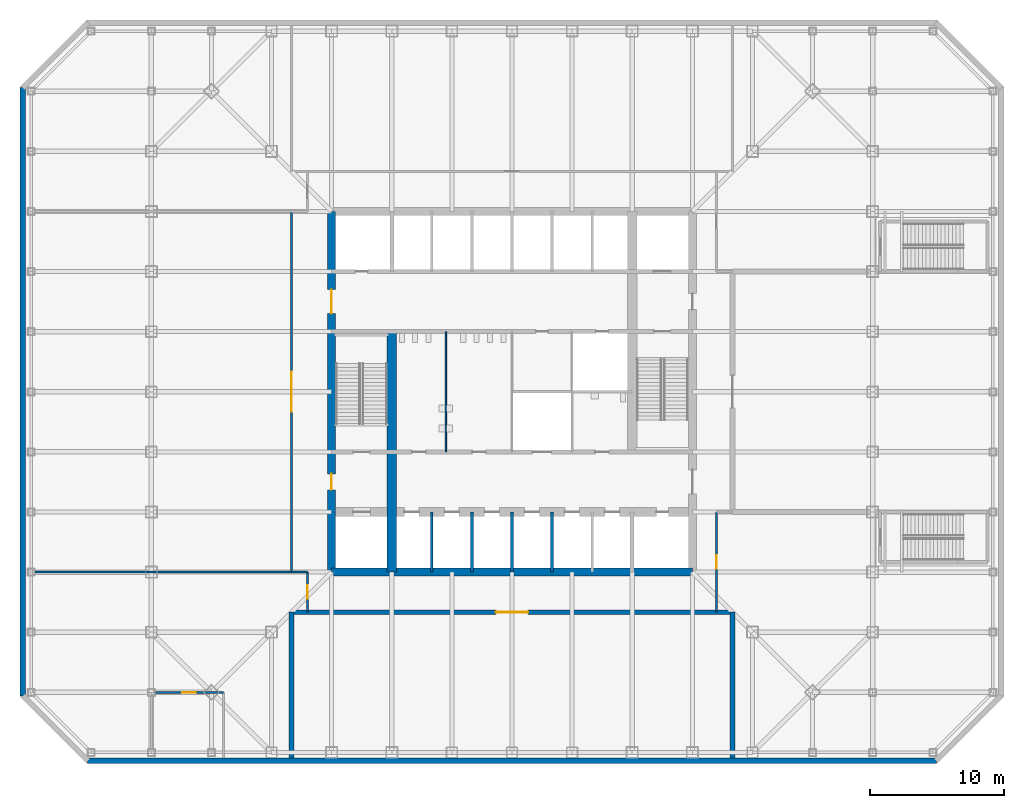
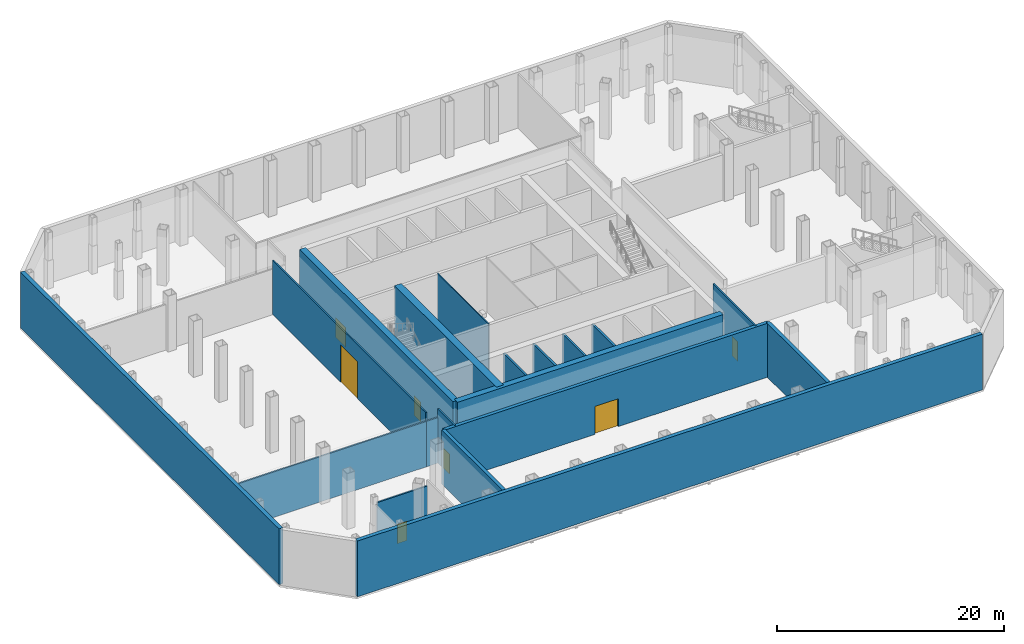
# One storey, part 6 of 12: 19 walls, 7 doors, 7 openings.
"""IFC4 building model written with IfcOpenShell, lengths in metres."""

import ifcopenshell
import ifcopenshell.guid

model = None  # the IFC model being written
_history = None  # IfcOwnerHistory: only IFC2X3 demands one
_inside = {}  # id of a spatial element -> (the spatial element, [elements in it])
_under = {}  # id of a project, library or spatial element -> (it, [spatial elements below it])
_declared = {}  # id of a project -> (the project, [libraries it declares])
_typed = {}  # id of a type object -> (the type object, [elements of that type])
_made_of = {}  # id of a material, layer set ... -> (it, [elements and type objects made of it])


def new_model(schema):
    """Start an empty IFC model of exactly this schema.

    Asked for "IFC4X3", IfcOpenShell would pick the latest addendum, in which some entities
    have other attributes; the version numbers below select the first issue.
    IFC2X3 requires an IfcOwnerHistory on every rooted entity: one is made here for all.
    """
    global model, _history
    if schema == "IFC4X3":
        model = ifcopenshell.file(schema_version=(4, 3, 0, 0))
    else:
        model = ifcopenshell.file(schema=schema)
    _inside.clear()
    _under.clear()
    _declared.clear()
    _typed.clear()
    _made_of.clear()
    _history = None
    if model.schema == "IFC2X3":
        org = make("IfcOrganization", Name="unknown")
        user = make(
            "IfcPersonAndOrganization",
            ThePerson=make("IfcPerson", FamilyName="unknown"),
            TheOrganization=org,
        )
        app = make(
            "IfcApplication",
            ApplicationDeveloper=org,
            Version="unknown",
            ApplicationFullName="unknown",
            ApplicationIdentifier="unknown",
        )
        _history = make(
            "IfcOwnerHistory",
            OwningUser=user,
            OwningApplication=app,
            ChangeAction="ADDED",
            CreationDate=0,
        )
    return model


def make(cls, **values):
    """One entity of the class cls with the attributes given. An attribute that is None is left unset."""
    return model.create_entity(
        cls, **{name: value for name, value in values.items() if value is not None}
    )


def rooted(cls, **values):
    """An entity with a GlobalId (a new one), such as an element, a storey or a relation."""
    return make(cls, GlobalId=ifcopenshell.guid.new(), OwnerHistory=_history, **values)


def si_unit(unit_type, name, prefix=None):
    """IfcSIUnit, for example si_unit("LENGTHUNIT", "METRE", prefix="MILLI")."""
    return make("IfcSIUnit", UnitType=unit_type, Prefix=prefix, Name=name)


def assignment(units):
    """IfcUnitAssignment: the units of a project."""
    return None if units is None else make("IfcUnitAssignment", Units=units)


def point(xyz):
    """IfcCartesianPoint."""
    return None if xyz is None else make("IfcCartesianPoint", Coordinates=xyz)


def direction(xyz):
    """IfcDirection."""
    return None if xyz is None else make("IfcDirection", DirectionRatios=xyz)


def frame(location, z_axis=None, x_axis=None):
    """IfcAxis2Placement3D, a coordinate frame: its origin and axes. An axis left out is left unset."""
    return make(
        "IfcAxis2Placement3D",
        Location=point(location),
        Axis=direction(z_axis),
        RefDirection=direction(x_axis),
    )


def frame_2d(location, x_axis=None):
    """IfcAxis2Placement2D, a coordinate frame in the plane: its origin and x axis."""
    return make(
        "IfcAxis2Placement2D", Location=point(location), RefDirection=direction(x_axis)
    )


def origin():
    """The frame at (0, 0, 0) with its axes left unset."""
    return frame((0.0, 0.0, 0.0))


def place(relative_to, where):
    """IfcLocalPlacement: puts the frame where relative to a parent placement (None: the world)."""
    return make(
        "IfcLocalPlacement", PlacementRelTo=relative_to, RelativePlacement=where
    )


def context(
    kind, dimensions, precision=None, world=None, true_north=None, identifier=None
):
    """IfcGeometricRepresentationContext, for example the 3D "Model" context."""
    return make(
        "IfcGeometricRepresentationContext",
        ContextIdentifier=identifier,
        ContextType=kind,
        CoordinateSpaceDimension=dimensions,
        Precision=precision,
        WorldCoordinateSystem=world,
        TrueNorth=true_north,
    )


def subcontext(parent, identifier, kind, view, scale=None):
    """IfcGeometricRepresentationSubContext, for example "Body" below "Model"."""
    return make(
        "IfcGeometricRepresentationSubContext",
        ContextIdentifier=identifier,
        ContextType=kind,
        ParentContext=parent,
        TargetScale=scale,
        TargetView=view,
    )


def project(units=None, contexts=None):
    """IfcProject with its units and contexts."""
    return rooted(
        "IfcProject",
        Name="project",
        RepresentationContexts=contexts,
        UnitsInContext=assignment(units),
    )


def spatial(cls, under=None, at=None, **own):
    """A site, building, storey or space (cls), placed at a placement, below another one or the project."""
    s = rooted(cls, ObjectPlacement=at, **own)
    if under is not None:
        _under.setdefault(under.id(), (under, []))[1].append(s)
    return s


def profile(cls, at=None, kind="AREA", **sizes):
    """A parametric profile (cls). Its sizes go by their IFC names, for example OverallWidth=200.0."""
    return make(cls, ProfileType=kind, Position=at, **sizes)


def rectangle(**sizes):
    """IfcRectangleProfileDef."""
    return profile("IfcRectangleProfileDef", **sizes)


def extrude(swept, where, along, depth):
    """IfcExtrudedAreaSolid: the profile swept, set in the frame where, extruded along a direction by depth."""
    return make(
        "IfcExtrudedAreaSolid",
        SweptArea=swept,
        Position=where,
        ExtrudedDirection=direction(along),
        Depth=depth,
    )


def shape(context_of_items, identifier, shape_type, items):
    """IfcShapeRepresentation: the items that make up one representation, for example the "Body"."""
    return make(
        "IfcShapeRepresentation",
        ContextOfItems=context_of_items,
        RepresentationIdentifier=identifier,
        RepresentationType=shape_type,
        Items=items,
    )


def material(Name=None, Category=None):
    """IfcMaterial."""
    return make("IfcMaterial", Name=Name, Category=Category)


def layer(
    of_material, thickness, ventilated=None, Name=None, Category=None, Priority=None
):
    """IfcMaterialLayer: one layer of a wall or slab, of a material (None: an air gap)."""
    return make(
        "IfcMaterialLayer",
        Material=of_material,
        LayerThickness=thickness,
        IsVentilated=ventilated,
        Name=Name,
        Category=Category,
        Priority=Priority,
    )


def layer_set(layers, Name=None):
    """IfcMaterialLayerSet."""
    return make("IfcMaterialLayerSet", MaterialLayers=layers, LayerSetName=Name)


def made_of(thing, what):
    """Note that an element or type object is made of a material, layer set ...; save() writes the relation."""
    if what is not None:
        _made_of.setdefault(what.id(), (what, []))[1].append(thing)
    return thing


def type_object(cls, material=None, **own):
    """A type object (cls), such as IfcWallType, which elements share."""
    return made_of(rooted(cls, **own), material)


def element(
    cls,
    number,
    at=None,
    inside=None,
    cuts=None,
    type_object=None,
    material=None,
    context=None,
    identifier="Body",
    shape_type=None,
    held_by="IfcProductDefinitionShape",
    body=None,
    shapes=None,
    **own,
):
    """One element of the class cls, such as IfcWall. Its Tag is "e" and its number.

    at: its placement. inside: the storey or other place that contains it. cuts: it is an
    opening in that element (IfcRelVoidsElement). A single representation is given by context,
    identifier, shape_type and body (its items); several are given by shapes. held_by: the class
    of the entity that holds the representations. save() writes the other relations.
    """
    e = rooted(cls, Tag="e%d" % number, ObjectPlacement=at, **own)
    if body is not None:
        shapes = [shape(context, identifier, shape_type, body)]
    if shapes is not None:
        e.Representation = make(held_by, Representations=shapes)
    if inside is not None:
        _inside.setdefault(inside.id(), (inside, []))[1].append(e)
    if cuts is not None:
        rooted(
            "IfcRelVoidsElement", RelatingBuildingElement=cuts, RelatedOpeningElement=e
        )
    if type_object is not None:
        _typed.setdefault(type_object.id(), (type_object, []))[1].append(e)
    return made_of(e, material)


def fill(opening, filler):
    """IfcRelFillsElement: the door or window that sits in an opening."""
    return rooted(
        "IfcRelFillsElement",
        RelatingOpeningElement=opening,
        RelatedBuildingElement=filler,
    )


def aggregate(whole, parts):
    """IfcRelAggregates: a whole, such as a stair, and the parts it consists of."""
    return rooted("IfcRelAggregates", RelatingObject=whole, RelatedObjects=parts)


def save(model, path):
    """Write the relations noted so far, then the file.

    IfcRelAggregates (storeys below a building ...), IfcRelContainedInSpatialStructure (elements
    in a storey), IfcRelDefinesByType, IfcRelAssociatesMaterial and IfcRelDeclares: one each for
    every whole, place, type object, material and project.
    """
    for whole, parts in _under.values():
        aggregate(whole, parts)
    for where, things in _inside.values():
        rooted(
            "IfcRelContainedInSpatialStructure",
            RelatedElements=things,
            RelatingStructure=where,
        )
    for kind, things in _typed.values():
        rooted("IfcRelDefinesByType", RelatedObjects=things, RelatingType=kind)
    for what, things in _made_of.values():
        rooted("IfcRelAssociatesMaterial", RelatedObjects=things, RelatingMaterial=what)
    for by, libraries in _declared.values():
        rooted("IfcRelDeclares", RelatingContext=by, RelatedDefinitions=libraries)
    model.write(path)


model = new_model("IFC4")

# Units and contexts
model_context = context("Model", 3, precision=1e-05, world=origin(), true_north=direction((0.0, 1.0)))
body_context = subcontext(model_context, "Body", "Model", "MODEL_VIEW")
ifc_project = project(units=[si_unit("LENGTHUNIT", "METRE"), si_unit("AREAUNIT", "SQUARE_METRE"), si_unit("VOLUMEUNIT", "CUBIC_METRE"), si_unit("PLANEANGLEUNIT", "RADIAN"), si_unit("MASSUNIT", "GRAM", prefix="KILO")], contexts=[model_context])

# Site, building, storey
site_placement = place(None, origin())
site = spatial("IfcSite", under=ifc_project, at=site_placement, CompositionType="ELEMENT")
building_placement = place(site_placement, origin())
building = spatial("IfcBuilding", under=site, at=building_placement, Name="Corais Broadcast Tower", CompositionType="ELEMENT")
storey_placement = place(building_placement, frame((0.0, 0.0, 6.0)))
storey = spatial("IfcBuildingStorey", under=building, at=storey_placement, Name="L01", CompositionType="ELEMENT", Elevation=6.0)

# Walls
ifc_material_1 = material(Name="Concrete C50/60", Category="concrete")
ifc_layer_1 = layer(ifc_material_1, 0.699951171875)
ifc_layer_set_1 = layer_set([ifc_layer_1], Name="Concrete C50/60")
wall_type_1 = type_object("IfcWallType", Name="Core spine wall 700", PredefinedType="SHEAR", material=ifc_layer_set_1)
wall_1_placement = place(storey_placement, frame((18.0, 13.5, 0.0), z_axis=(0.0, 0.0, 1.0), x_axis=(0.0, 1.0, 0.0)))
element("IfcWall", 1, at=wall_1_placement, inside=storey, type_object=wall_type_1, Name="CR700 core wall X18A L01", PredefinedType="SHEAR", context=body_context, shape_type="SweptSolid", body=[
    extrude(rectangle(XDim=18.0, YDim=0.699951171875, at=frame_2d((9.0, 0.0))), origin(), (0.0, 0.0, 1.0), 6.0),
])
ifc_material_2 = material(Name="Concrete C50/60", Category="concrete")
ifc_layer_2 = layer(ifc_material_2, 0.60009765625)
ifc_layer_set_2 = layer_set([ifc_layer_2], Name="Concrete C50/60")
wall_type_2 = type_object("IfcWallType", Name="Core wall 600", PredefinedType="SHEAR", material=ifc_layer_set_2)
wall_2_placement = place(storey_placement, frame((13.5, 13.5, 0.0), z_axis=(0.0, 0.0, 1.0), x_axis=(1.0, 0.0, 0.0)))
element("IfcWall", 2, at=wall_2_placement, inside=storey, type_object=wall_type_2, Name="CR600 core wall S L01", PredefinedType="SHEAR", context=body_context, shape_type="SweptSolid", body=[
    extrude(rectangle(XDim=27.0, YDim=0.60009765625, at=frame_2d((13.5, 0.0))), origin(), (0.0, 0.0, 1.0), 6.0),
])

# Wall, openings, doors
wall_3_placement = place(storey_placement, frame((13.5, 40.5, 0.0), z_axis=(0.0, 0.0, 1.0), x_axis=(0.0, -1.0, 0.0)))
wall_3 = element("IfcWall", 3, at=wall_3_placement, inside=storey, type_object=wall_type_2, Name="CR600 core wall W L01", PredefinedType="SHEAR", context=body_context, shape_type="SweptSolid", body=[
    extrude(rectangle(XDim=27.0, YDim=0.60009765625, at=frame_2d((13.5, 0.0))), origin(), (0.0, 0.0, 1.0), 6.0),
])
opening_1_placement = place(wall_3_placement, frame((19.64990234375, 0.0, 0.0)))
opening_1 = element("IfcOpeningElement", 4, at=opening_1_placement, cuts=wall_3, Name="Opening FD1", PredefinedType="OPENING", context=body_context, shape_type="SweptSolid", body=[
    extrude(rectangle(XDim=1.199951171875, YDim=2.10009765625, at=frame_2d((0.60009765625, 1.050048828125))), frame((0.0, 0.31005859375, 0.0), z_axis=(0.0, -1.0, 0.0), x_axis=(1.0, 0.0, 0.0)), (0.0, 0.0, 1.0), 0.6201171875),
])
opening_2_placement = place(wall_3_placement, frame((5.85009765625, 0.0, 0.0)))
opening_2 = element("IfcOpeningElement", 5, at=opening_2_placement, cuts=wall_3, Name="Opening FD2", PredefinedType="OPENING", context=body_context, shape_type="SweptSolid", body=[
    extrude(rectangle(XDim=1.800048828125, YDim=2.10009765625, at=frame_2d((0.89990234375, 1.050048828125))), frame((0.0, 0.31005859375, 0.0), z_axis=(0.0, -1.0, 0.0), x_axis=(1.0, 0.0, 0.0)), (0.0, 0.0, 1.0), 0.6201171875),
])
ifc_material_3 = material(Name="Steel fire door", Category="steel")
door_type_1 = type_object("IfcDoorType", Name="Fire door 1200x2100", OperationType="SINGLE_SWING_LEFT", PredefinedType="DOOR", material=ifc_material_3)
door_1_placement = place(opening_1_placement, origin())
door_1 = element("IfcDoor", 6, at=door_1_placement, inside=storey, type_object=door_type_1, Name="FD1 fire lobby A door L01", OperationType="SINGLE_SWING_RIGHT", OverallHeight=2.10009765625, OverallWidth=1.199951171875, PredefinedType="DOOR", context=body_context, shape_type="SweptSolid", body=[
    extrude(rectangle(XDim=1.199951171875, YDim=2.10009765625, at=frame_2d((0.60009765625, 1.050048828125))), frame((0.0, 0.02490234375, 0.0), z_axis=(0.0, -1.0, 0.0), x_axis=(1.0, 0.0, 0.0)), (0.0, 0.0, 1.0), 0.050048828125),
])
fill(opening_1, door_1)
ifc_material_4 = material(Name="Steel fire door", Category="steel")
door_type_2 = type_object("IfcDoorType", Name="Fire door pair 1800x2100", OperationType="DOUBLE_DOOR_SINGLE_SWING", PredefinedType="DOOR", material=ifc_material_4)
door_2_placement = place(opening_2_placement, origin())
door_2 = element("IfcDoor", 7, at=door_2_placement, inside=storey, type_object=door_type_2, Name="FD2 lift lobby door L01", OperationType="SINGLE_SWING_LEFT", OverallHeight=2.10009765625, OverallWidth=1.800048828125, PredefinedType="DOOR", context=body_context, shape_type="SweptSolid", body=[
    extrude(rectangle(XDim=1.800048828125, YDim=2.10009765625, at=frame_2d((0.89990234375, 1.050048828125))), frame((0.0, 0.02490234375, 0.0), z_axis=(0.0, -1.0, 0.0), x_axis=(1.0, 0.0, 0.0)), (0.0, 0.0, 1.0), 0.050048828125),
])
fill(opening_2, door_2)

# Wall
ifc_material_5 = material(Name="Two leaves of dense concrete blockwork class A with a 50 mm cavity", Category="masonry")
ifc_layer_3 = layer(ifc_material_5, 0.35009765625)
ifc_layer_set_3 = layer_set([ifc_layer_3], Name="Two leaves of dense concrete blockwork class A with a 50 mm cavity")
wall_type_3 = type_object("IfcWallType", Name="Double-leaf acoustic partition 350", PredefinedType="PARTITIONING", material=ifc_layer_set_3)
wall_4_placement = place(storey_placement, frame((43.5, -0.429931640625, 0.0), z_axis=(0.0, 0.0, 1.0), x_axis=(0.0, 1.0, 0.0)))
element("IfcWall", 8, at=wall_4_placement, inside=storey, type_object=wall_type_3, Name="IW4 partition L01", PredefinedType="PARTITIONING", context=body_context, shape_type="SweptSolid", body=[
    extrude(rectangle(XDim=10.929931640625, YDim=0.35009765625, at=frame_2d((5.46484375, 0.0))), origin(), (0.0, 0.0, 1.0), 5.800048828125),
])

# Wall, opening, door
wall_5_placement = place(storey_placement, frame((43.5, 10.5, 0.0), z_axis=(0.0, 0.0, 1.0), x_axis=(-1.0, 0.0, 0.0)))
wall_5 = element("IfcWall", 9, at=wall_5_placement, inside=storey, type_object=wall_type_3, Name="IW4 partition L01", PredefinedType="PARTITIONING", context=body_context, shape_type="SweptSolid", body=[
    extrude(rectangle(XDim=33.0, YDim=0.35009765625, at=frame_2d((16.5, 0.0))), origin(), (0.0, 0.0, 1.0), 5.800048828125),
])
opening_3_placement = place(wall_5_placement, frame((15.300048828125, 0.0, 0.0)))
opening_3 = element("IfcOpeningElement", 10, at=opening_3_placement, cuts=wall_5, Name="Opening D3", PredefinedType="OPENING", context=body_context, shape_type="SweptSolid", body=[
    extrude(rectangle(XDim=2.39990234375, YDim=3.0, at=frame_2d((1.199951171875, 1.5))), frame((0.0, 0.18505859375, 0.0), z_axis=(0.0, -1.0, 0.0), x_axis=(1.0, 0.0, 0.0)), (0.0, 0.0, 1.0), 0.3701171875),
])
ifc_material_6 = material(Name="Acoustic steel door", Category="steel")
door_type_3 = type_object("IfcDoorType", Name="Studio double door 2400x3000", OperationType="DOUBLE_DOOR_SINGLE_SWING", PredefinedType="DOOR", material=ifc_material_6)
door_3_placement = place(opening_3_placement, origin())
door_3 = element("IfcDoor", 11, at=door_3_placement, inside=storey, type_object=door_type_3, Name="D3 Studio A door", OperationType="SINGLE_SWING_LEFT", OverallHeight=3.0, OverallWidth=2.39990234375, PredefinedType="DOOR", context=body_context, shape_type="SweptSolid", body=[
    extrude(rectangle(XDim=2.39990234375, YDim=3.0, at=frame_2d((1.199951171875, 1.5))), frame((0.0, 0.02490234375, 0.0), z_axis=(0.0, -1.0, 0.0), x_axis=(1.0, 0.0, 0.0)), (0.0, 0.0, 1.0), 0.050048828125),
])
fill(opening_3, door_3)

# Wall
wall_6_placement = place(storey_placement, frame((10.5, 10.5, 0.0), z_axis=(0.0, 0.0, 1.0), x_axis=(0.0, -1.0, 0.0)))
element("IfcWall", 12, at=wall_6_placement, inside=storey, type_object=wall_type_3, Name="IW4 partition L01", PredefinedType="PARTITIONING", context=body_context, shape_type="SweptSolid", body=[
    extrude(rectangle(XDim=10.929931640625, YDim=0.35009765625, at=frame_2d((5.46484375, 0.0))), origin(), (0.0, 0.0, 1.0), 5.800048828125),
])

# Wall, opening, door
ifc_material_7 = material(Name="Gypsum board on steel studs", Category="steel")
ifc_layer_4 = layer(ifc_material_7, 0.14990234375)
ifc_layer_set_4 = layer_set([ifc_layer_4], Name="Gypsum board on steel studs")
wall_type_4 = type_object("IfcWallType", Name="Partition 150", PredefinedType="PARTITIONING", material=ifc_layer_set_4)
wall_7_placement = place(storey_placement, frame((42.300048828125, 10.5, 0.0), z_axis=(0.0, 0.0, 1.0), x_axis=(0.0, 1.0, 0.0)))
wall_7 = element("IfcWall", 13, at=wall_7_placement, inside=storey, type_object=wall_type_4, Name="IW3 corridor wall L01", PredefinedType="PARTITIONING", context=body_context, shape_type="SweptSolid", body=[
    extrude(rectangle(XDim=7.5, YDim=0.14990234375, at=frame_2d((3.75, 0.0))), origin(), (0.0, 0.0, 1.0), 5.800048828125),
])
opening_4_placement = place(wall_7_placement, frame((3.25, 0.0, 0.0)))
opening_4 = element("IfcOpeningElement", 14, at=opening_4_placement, cuts=wall_7, Name="Opening D1", PredefinedType="OPENING", context=body_context, shape_type="SweptSolid", body=[
    extrude(rectangle(XDim=1.0, YDim=2.10009765625, at=frame_2d((0.5, 1.050048828125))), frame((0.0, 0.0849609375, 0.0), z_axis=(0.0, -1.0, 0.0), x_axis=(1.0, 0.0, 0.0)), (0.0, 0.0, 1.0), 0.169921875),
])
ifc_material_8 = material(Name="Timber door", Category="wood")
door_type_4 = type_object("IfcDoorType", Name="Single door 1000x2100", OperationType="SINGLE_SWING_LEFT", PredefinedType="DOOR", material=ifc_material_8)
door_4_placement = place(opening_4_placement, origin())
door_4 = element("IfcDoor", 15, at=door_4_placement, inside=storey, type_object=door_type_4, Name="D1 workplace door L01", OperationType="SINGLE_SWING_LEFT", OverallHeight=2.10009765625, OverallWidth=1.0, PredefinedType="DOOR", context=body_context, shape_type="SweptSolid", body=[
    extrude(rectangle(XDim=1.0, YDim=2.10009765625, at=frame_2d((0.5, 1.050048828125))), frame((0.0, 0.02490234375, 0.0), z_axis=(0.0, -1.0, 0.0), x_axis=(1.0, 0.0, 0.0)), (0.0, 0.0, 1.0), 0.050048828125),
])
fill(opening_4, door_4)

wall_8_placement = place(storey_placement, frame((11.699951171875, 13.5, 0.0), z_axis=(0.0, 0.0, 1.0), x_axis=(0.0, -1.0, 0.0)))
wall_8 = element("IfcWall", 16, at=wall_8_placement, inside=storey, type_object=wall_type_4, Name="IW3 corridor wall L01", PredefinedType="PARTITIONING", context=body_context, shape_type="SweptSolid", body=[
    extrude(rectangle(XDim=3.0, YDim=0.14990234375, at=frame_2d((1.5, 0.0))), origin(), (0.0, 0.0, 1.0), 5.800048828125),
])
opening_5_placement = place(wall_8_placement, frame((1.0, 0.0, 0.0)))
opening_5 = element("IfcOpeningElement", 17, at=opening_5_placement, cuts=wall_8, Name="Opening D1", PredefinedType="OPENING", context=body_context, shape_type="SweptSolid", body=[
    extrude(rectangle(XDim=1.0, YDim=2.10009765625, at=frame_2d((0.5, 1.050048828125))), frame((0.0, 0.0849609375, 0.0), z_axis=(0.0, -1.0, 0.0), x_axis=(1.0, 0.0, 0.0)), (0.0, 0.0, 1.0), 0.169921875),
])
door_5_placement = place(opening_5_placement, origin())
door_5 = element("IfcDoor", 18, at=door_5_placement, inside=storey, type_object=door_type_4, Name="D1 workplace door L01", OperationType="SINGLE_SWING_LEFT", OverallHeight=2.10009765625, OverallWidth=1.0, PredefinedType="DOOR", context=body_context, shape_type="SweptSolid", body=[
    extrude(rectangle(XDim=1.0, YDim=2.10009765625, at=frame_2d((0.5, 1.050048828125))), frame((0.0, 0.02490234375, 0.0), z_axis=(0.0, -1.0, 0.0), x_axis=(1.0, 0.0, 0.0)), (0.0, 0.0, 1.0), 0.050048828125),
])
fill(opening_5, door_5)

# Walls
wall_9_placement = place(storey_placement, frame((10.489990234375, 13.5, 0.0), z_axis=(0.0, 0.0, 1.0), x_axis=(1.0, 0.0, 0.0)))
element("IfcWall", 19, at=wall_9_placement, inside=storey, type_object=wall_type_4, Name="IW3 corridor wall L01", PredefinedType="PARTITIONING", context=body_context, shape_type="SweptSolid", body=[
    extrude(rectangle(XDim=1.2099609375, YDim=0.14990234375, at=frame_2d((0.60498046875, 0.0))), origin(), (0.0, 0.0, 1.0), 4.881103515625),
])
wall_10_placement = place(storey_placement, frame((-8.739990234375, 13.5, 0.0), z_axis=(0.0, 0.0, 1.0), x_axis=(1.0, 0.0, 0.0)))
element("IfcWall", 20, at=wall_10_placement, inside=storey, type_object=wall_type_4, Name="IW3 partition L01", PredefinedType="PARTITIONING", context=body_context, shape_type="SweptSolid", body=[
    extrude(rectangle(XDim=19.239990234375, YDim=0.14990234375, at=frame_2d((9.6201171875, 0.0))), origin(), (0.0, 0.0, 1.0), 4.881103515625),
])

# Wall, opening, door
wall_11_placement = place(storey_placement, frame((10.5, 13.5, 0.0), z_axis=(0.0, 0.0, 1.0), x_axis=(0.0, 1.0, 0.0)))
wall_11 = element("IfcWall", 21, at=wall_11_placement, inside=storey, type_object=wall_type_4, Name="IW3 partition L01", PredefinedType="PARTITIONING", context=body_context, shape_type="SweptSolid", body=[
    extrude(rectangle(XDim=27.0, YDim=0.14990234375, at=frame_2d((13.5, 0.0))), origin(), (0.0, 0.0, 1.0), 5.800048828125),
])
opening_6_placement = place(wall_11_placement, frame((12.0, 0.0, 0.0)))
opening_6 = element("IfcOpeningElement", 22, at=opening_6_placement, cuts=wall_11, Name="Opening D5", PredefinedType="OPENING", context=body_context, shape_type="SweptSolid", body=[
    extrude(rectangle(XDim=3.0, YDim=4.0, at=frame_2d((1.5, 2.0))), frame((0.0, 0.0849609375, 0.0), z_axis=(0.0, -1.0, 0.0), x_axis=(1.0, 0.0, 0.0)), (0.0, 0.0, 1.0), 0.169921875),
])
ifc_material_9 = material(Name="Acoustic steel sliding door", Category="steel")
door_type_5 = type_object("IfcDoorType", Name="Scenery door 3000x4000", OperationType="DOUBLE_DOOR_SLIDING", PredefinedType="DOOR", material=ifc_material_9)
door_6_placement = place(opening_6_placement, origin())
door_6 = element("IfcDoor", 23, at=door_6_placement, inside=storey, type_object=door_type_5, Name="D5 Scene dock door", OperationType="SINGLE_SWING_LEFT", OverallHeight=4.0, OverallWidth=3.0, PredefinedType="DOOR", context=body_context, shape_type="SweptSolid", body=[
    extrude(rectangle(XDim=3.0, YDim=4.0, at=frame_2d((1.5, 2.0))), frame((0.0, 0.02490234375, 0.0), z_axis=(0.0, -1.0, 0.0), x_axis=(1.0, 0.0, 0.0)), (0.0, 0.0, 1.0), 0.050048828125),
])
fill(opening_6, door_6)

wall_12_placement = place(storey_placement, frame((5.39990234375, 4.5, 0.0), z_axis=(0.0, 0.0, 1.0), x_axis=(-1.0, 0.0, 0.0)))
wall_12 = element("IfcWall", 24, at=wall_12_placement, inside=storey, type_object=wall_type_4, Name="IW3 partition L01", PredefinedType="PARTITIONING", context=body_context, shape_type="SweptSolid", body=[
    extrude(rectangle(XDim=5.139892578125, YDim=0.14990234375, at=frame_2d((2.56982421875, 0.0))), origin(), (0.0, 0.0, 1.0), 5.18896484375),
])
opening_7_placement = place(wall_12_placement, frame((2.070068359375, 0.0, 0.0)))
opening_7 = element("IfcOpeningElement", 25, at=opening_7_placement, cuts=wall_12, Name="Opening D1", PredefinedType="OPENING", context=body_context, shape_type="SweptSolid", body=[
    extrude(rectangle(XDim=1.0, YDim=2.10009765625, at=frame_2d((0.5, 1.050048828125))), frame((0.0, 0.0849609375, 0.0), z_axis=(0.0, -1.0, 0.0), x_axis=(1.0, 0.0, 0.0)), (0.0, 0.0, 1.0), 0.169921875),
])
door_7_placement = place(opening_7_placement, origin())
door_7 = element("IfcDoor", 26, at=door_7_placement, inside=storey, type_object=door_type_4, Name="D1 Audience waiting lounge door", OperationType="SINGLE_SWING_LEFT", OverallHeight=2.10009765625, OverallWidth=1.0, PredefinedType="DOOR", context=body_context, shape_type="SweptSolid", body=[
    extrude(rectangle(XDim=1.0, YDim=2.10009765625, at=frame_2d((0.5, 1.050048828125))), frame((0.0, 0.02490234375, 0.0), z_axis=(0.0, -1.0, 0.0), x_axis=(1.0, 0.0, 0.0)), (0.0, 0.0, 1.0), 0.050048828125),
])
fill(opening_7, door_7)

# Walls
ifc_material_10 = material(Name="Concrete blockwork class A, grouted, two-hour", Category="masonry")
ifc_layer_5 = layer(ifc_material_10, 0.199951171875)
ifc_layer_set_5 = layer_set([ifc_layer_5], Name="Concrete blockwork class A, grouted, two-hour")
wall_type_5 = type_object("IfcWallType", Name="Shaft wall 200", PredefinedType="PARTITIONING", material=ifc_layer_set_5)
for number, where, z_axis, x_axis, name in (
    (27, (21.0, 13.5, 0.0), (0.0, 0.0, 1.0), (0.0, 1.0, 0.0), "IW1 shaft wall L01"),
    (28, (24.0, 13.5, 0.0), (0.0, 0.0, 1.0), (0.0, 1.0, 0.0), "IW1 shaft wall L01"),
    (29, (27.0, 13.5, 0.0), (0.0, 0.0, 1.0), (0.0, 1.0, 0.0), "IW1 shaft wall L01"),
    (30, (30.0, 13.5, 0.0), (0.0, 0.0, 1.0), (0.0, 1.0, 0.0), "IW1 shaft wall L01"),
):
    element("IfcWall", number, at=place(storey_placement, frame(where, z_axis=z_axis, x_axis=x_axis)), inside=storey, type_object=wall_type_5, Name=name, PredefinedType="PARTITIONING", context=body_context, shape_type="SweptSolid", body=[
        extrude(rectangle(XDim=4.5, YDim=0.199951171875, at=frame_2d((2.25, 0.0))), origin(), (0.0, 0.0, 1.0), 5.800048828125),
    ])
ifc_material_11 = material(Name="Precast concrete C40/50", Category="concrete")
ifc_layer_6 = layer(ifc_material_11, 0.39990234375)
ifc_layer_set_6 = layer_set([ifc_layer_6], Name="Precast concrete C40/50")
wall_type_6 = type_object("IfcWallType", Name="Stone-faced acoustic wall 400", PredefinedType="SOLIDWALL", material=ifc_layer_set_6)
wall_13_placement = place(storey_placement, frame((-9.6298828125, 4.239013671875, 0.0), z_axis=(0.0, 0.0, 1.0), x_axis=(0.0, 1.0, 0.0)))
element("IfcWall", 31, at=wall_13_placement, inside=storey, type_object=wall_type_6, Name="EW2 external wall L01 2", PredefinedType="SOLIDWALL", context=body_context, shape_type="SweptSolid", body=[
    extrude(rectangle(XDim=45.52197265625, YDim=0.39990234375, at=frame_2d((22.760986328125, 0.0))), origin(), (0.0, 0.0, 1.0), 6.0),
])
wall_14_placement = place(storey_placement, frame((58.760986328125, -0.6298828125, 0.0), z_axis=(0.0, 0.0, 1.0), x_axis=(-1.0, 0.0, 0.0)))
element("IfcWall", 32, at=wall_14_placement, inside=storey, type_object=wall_type_6, Name="EW2 external wall L01 8", PredefinedType="SOLIDWALL", context=body_context, shape_type="SweptSolid", body=[
    extrude(rectangle(XDim=63.52197265625, YDim=0.39990234375, at=frame_2d((31.760986328125, 0.0))), origin(), (0.0, 0.0, 1.0), 6.0),
])
ifc_material_12 = material(Name="Dense concrete blockwork class A, tiled both faces", Category="masonry")
ifc_layer_7 = layer(ifc_material_12, 0.10009765625)
ifc_layer_set_7 = layer_set([ifc_layer_7], Name="Dense concrete blockwork class A, tiled both faces")
wall_type_7 = type_object("IfcWallType", Name="Toilet wall 100", PredefinedType="PLUMBINGWALL", material=ifc_layer_set_7)
wall_15_placement = place(storey_placement, frame((22.050048828125, 22.5, 0.0), z_axis=(0.0, 0.0, 1.0), x_axis=(0.0, 1.0, 0.0)))
element("IfcWall", 33, at=wall_15_placement, inside=storey, type_object=wall_type_7, Name="IW2 toilet wall L01", PredefinedType="PLUMBINGWALL", context=body_context, shape_type="SweptSolid", body=[
    extrude(rectangle(XDim=9.0, YDim=0.10009765625, at=frame_2d((4.5, 0.0))), origin(), (0.0, 0.0, 1.0), 5.800048828125),
])

save(model, "model.ifc")
